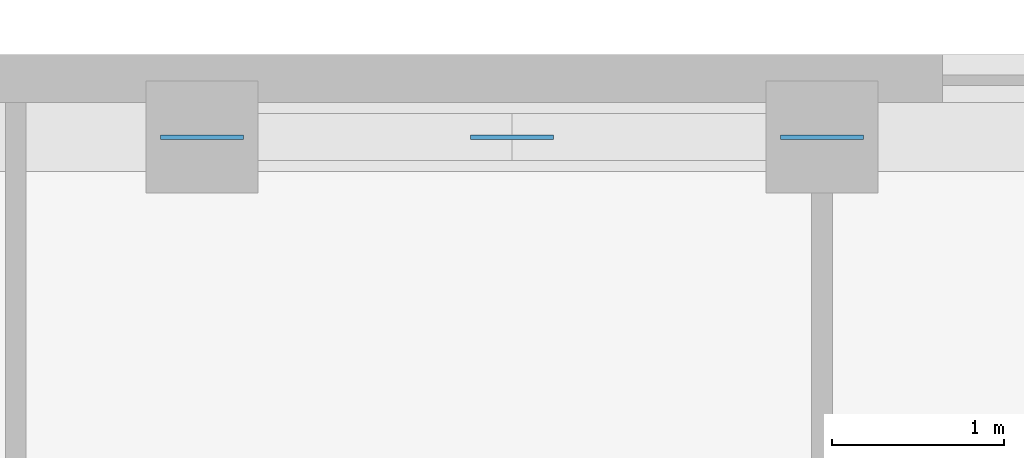
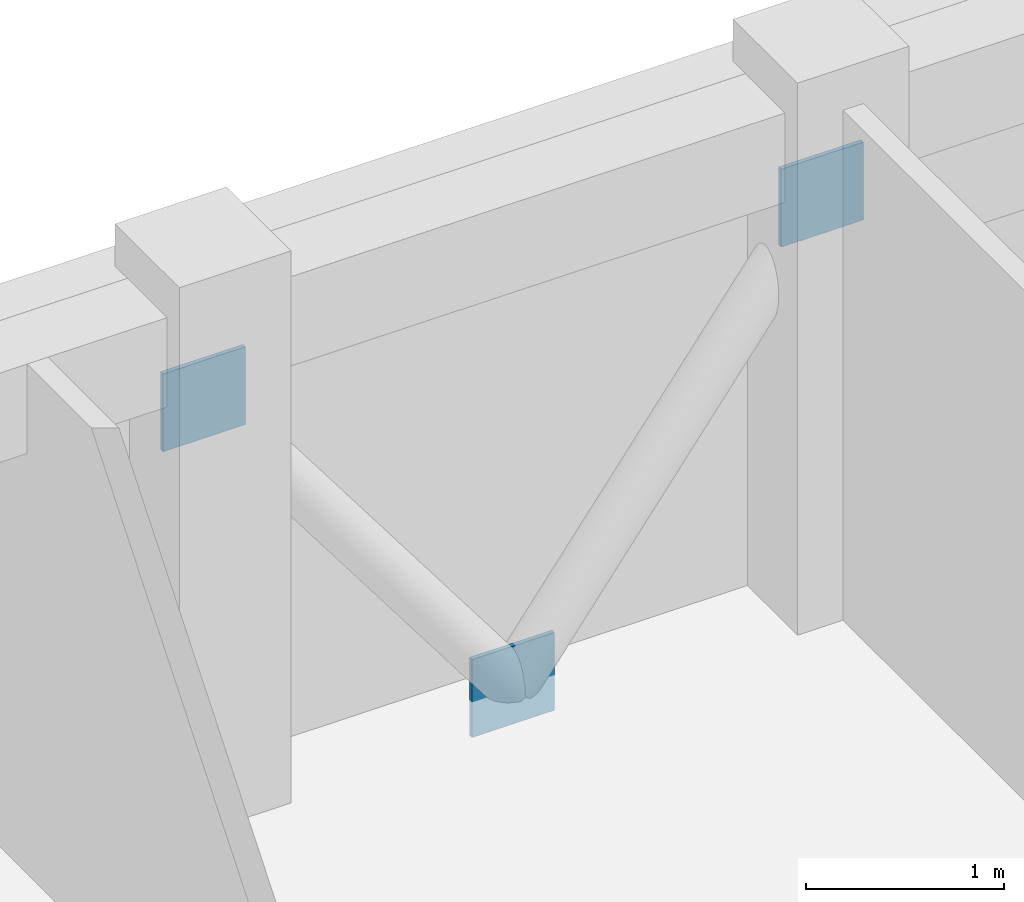
# One storey, part 9 of 11: 3 discrete accessories.
"""IFC4 building model written with IfcOpenShell, lengths in metres."""

from ifc_helpers import new_model, si_unit, derived_unit, direction, frame, origin, origin_2d, place, context, subcontext, project, spatial, rectangle, extrude, material, layer, layer_set, type_object, element, save


model = new_model("IFC4")

# Units and contexts
model_context = context("Model", 3, precision=1e-05, world=origin(), true_north=direction((0.0, 1.0)))
body_context = subcontext(model_context, "Body", "Model", "MODEL_VIEW")
ifc_project = project(units=[si_unit("LENGTHUNIT", "METRE"), si_unit("AREAUNIT", "SQUARE_METRE"), si_unit("VOLUMEUNIT", "CUBIC_METRE"), si_unit("PLANEANGLEUNIT", "RADIAN"), si_unit("MASSUNIT", "GRAM", prefix="KILO"), derived_unit("THERMALTRANSMITTANCEUNIT", [(si_unit("MASSUNIT", "GRAM", prefix="KILO"), 1), (si_unit("TIMEUNIT", "SECOND"), -3), (si_unit("THERMODYNAMICTEMPERATUREUNIT", "KELVIN"), -1)])], contexts=[model_context])

# Site, building, storey
site_placement = place(None, origin())
site = spatial("IfcSite", under=ifc_project, at=site_placement, CompositionType="ELEMENT")
building_placement = place(site_placement, origin())
building = spatial("IfcBuilding", under=site, at=building_placement, Name="Korrvale Station Residences", CompositionType="ELEMENT")
storey_placement = place(building_placement, frame((0.0, 0.0, 244.5)))
storey = spatial("IfcBuildingStorey", under=building, at=storey_placement, Name="L71", CompositionType="ELEMENT", Elevation=244.5)

# Discrete accessories
ifc_material = material(Name="Steel S355", Category="steel")
ifc_layer = layer(ifc_material, 0.02490234375, Name="Steel S355")
ifc_layer_set = layer_set([ifc_layer], Name="Steel S355")
discrete_accessory_type = type_object("IfcDiscreteAccessoryType", Name="ACC-GUSSET-25", PredefinedType="BRACKET", material=ifc_layer_set)
for number, where, z_axis, x_axis, name in (
    (1, (25.0, 39.719970703125, -0.219970703125), (0.0, 0.0, 1.0), (1.0, 0.0, 0.0), "L71 N Brace End Gusset Connection M"),
    (2, (23.199951171875, 39.719970703125, 2.169921875), (0.0, 0.0, 1.0), (1.0, 0.0, 0.0), "L71 N Brace End Gusset Connection A"),
    (3, (26.800048828125, 39.719970703125, 2.169921875), (0.0, 0.0, 1.0), (1.0, 0.0, 0.0), "L71 N Brace End Gusset Connection B"),
):
    element("IfcDiscreteAccessory", number, at=place(storey_placement, frame(where, z_axis=z_axis, x_axis=x_axis)), inside=storey, type_object=discrete_accessory_type, Name=name, PredefinedType="BRACKET", context=body_context, shape_type="SweptSolid", body=[
        extrude(rectangle(XDim=0.47998046875, YDim=0.02490234375, at=origin_2d()), origin(), (0.0, 0.0, 1.0), 0.47998046875),
    ])

save(model, "model.ifc")
